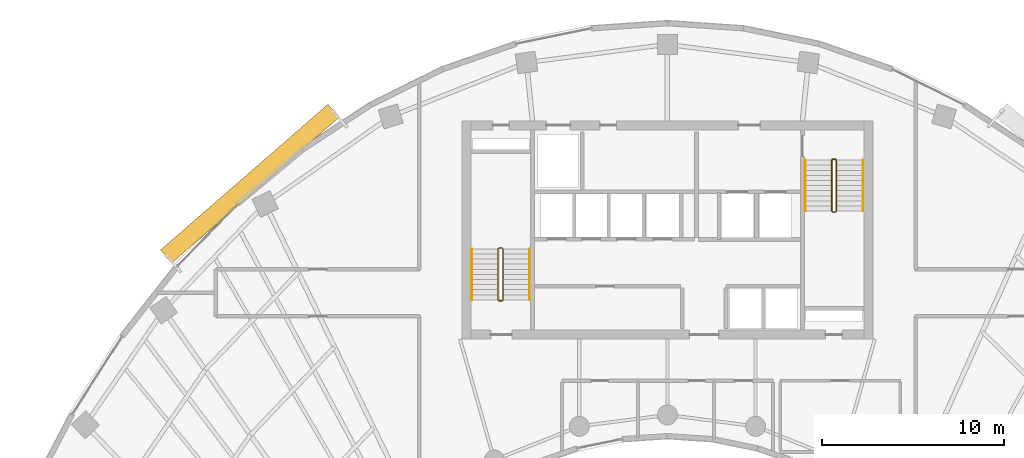
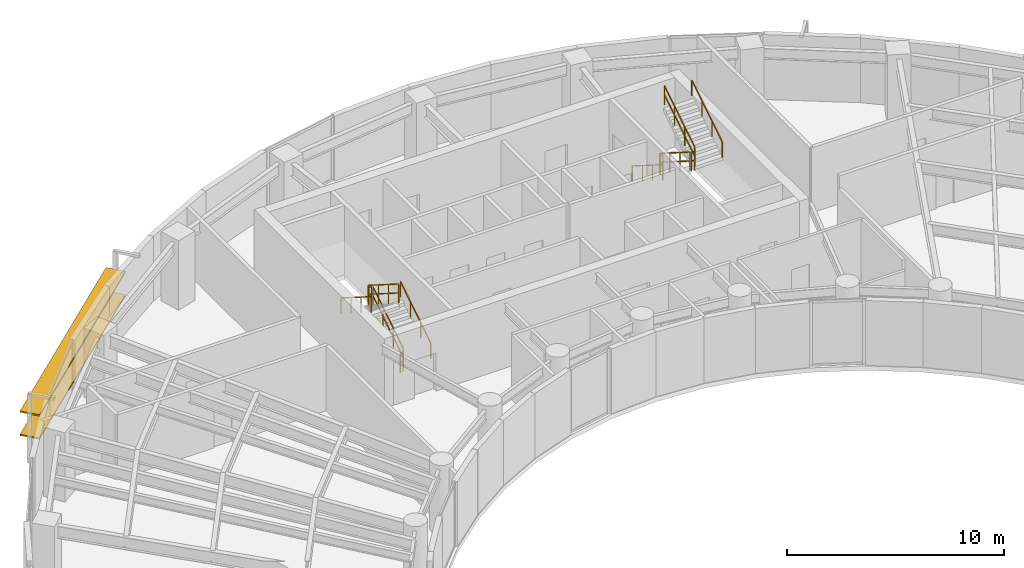
# One storey, part 12 of 13: 12 railings, 2 shading devices.
"""IFC4 building model written with IfcOpenShell, lengths in metres."""

from ifc_helpers import new_model, si_unit, direction, frame, origin, origin_2d, place, context, subcontext, project, spatial, rectangle, extrude, source, transform, mapped, material, material_profile, profile_set, type_object, type_shapes, element, save


model = new_model("IFC4")

# Units and contexts
model_context = context("Model", 3, precision=1e-05, world=origin(), true_north=direction((0.0, 1.0)))
body_context = subcontext(model_context, "Body", "Model", "MODEL_VIEW")
ifc_project = project(units=[si_unit("LENGTHUNIT", "METRE"), si_unit("AREAUNIT", "SQUARE_METRE"), si_unit("VOLUMEUNIT", "CUBIC_METRE"), si_unit("PLANEANGLEUNIT", "RADIAN"), si_unit("MASSUNIT", "GRAM", prefix="KILO")], contexts=[model_context])

# Site, building, storey
site_placement = place(None, origin())
site = spatial("IfcSite", under=ifc_project, at=site_placement, CompositionType="ELEMENT")
building_placement = place(site_placement, origin())
building = spatial("IfcBuilding", under=site, at=building_placement, Name="Breltana Convention Tower", CompositionType="ELEMENT")
storey_placement = place(building_placement, frame((0.0, 0.0, 158.39990234375)))
storey = spatial("IfcBuildingStorey", under=building, at=storey_placement, Name="L38", CompositionType="ELEMENT", Elevation=158.39990234375)

# Railings
ifc_material_1 = material(Name="Steel S275 Painted", Category="steel")
railing_type_1 = type_object("IfcRailingType", Name="RL-STAIR-GUARD-1100", PredefinedType="GUARDRAIL", material=ifc_material_1)
railing_1_placement = place(storey_placement, frame((38.9599609375, 62.360107421875, 0.177490234375)))
element("IfcRailing", 1, at=railing_1_placement, inside=storey, type_object=railing_type_1, Name="L38 ST-1 stair guard 1", PredefinedType="GUARDRAIL", context=body_context, shape_type="SweptSolid", body=[
    extrude(rectangle(XDim=0.048095703125, YDim=0.048095703125, at=origin_2d()), frame((0.0, 0.0, 1.076171875), z_axis=(0.0, 0.844887892834, 0.53494340686), x_axis=(-1.0, 0.0, 0.0)), (0.0, 0.0, 1.0), 3.313720703125),
    extrude(rectangle(XDim=0.048095703125, YDim=0.048095703125, at=origin_2d()), frame((0.0, 0.0, 0.572021484375), z_axis=(0.0, 0.844887892834, 0.53494340686), x_axis=(-1.0, 0.0, 0.0)), (0.0, 0.0, 1.0), 3.313720703125),
    extrude(rectangle(XDim=0.0419921875, YDim=0.0419921875, at=origin_2d()), origin(), (0.0, 0.0, 1.0), 1.052001953125),
    extrude(rectangle(XDim=0.0419921875, YDim=0.0419921875, at=origin_2d()), frame((0.0, 0.933349609375, 0.5908203125)), (0.0, 0.0, 1.0), 1.052001953125),
    extrude(rectangle(XDim=0.0419921875, YDim=0.0419921875, at=origin_2d()), frame((0.0, 1.866455078125, 1.181884765625)), (0.0, 0.0, 1.0), 1.052001953125),
    extrude(rectangle(XDim=0.0419921875, YDim=0.0419921875, at=origin_2d()), frame((0.0, 2.7998046875, 1.772705078125)), (0.0, 0.0, 1.0), 1.052001953125),
])
railing_2_placement = place(storey_placement, frame((38.909912109375, 65.2099609375, 1.9501953125)))
element("IfcRailing", 2, at=railing_2_placement, inside=storey, type_object=railing_type_1, Name="L38 ST-1 stair guard 2", PredefinedType="GUARDRAIL", context=body_context, shape_type="SweptSolid", body=[
    extrude(rectangle(XDim=0.048095703125, YDim=0.048095703125, at=origin_2d()), frame((0.0, 0.0, 1.076171875), z_axis=(-1.0, 0.0, 0.0), x_axis=(0.0, -1.0, 0.0)), (0.0, 0.0, 1.0), 0.14990234375),
    extrude(rectangle(XDim=0.048095703125, YDim=0.048095703125, at=origin_2d()), frame((0.0, 0.0, 0.572021484375), z_axis=(-1.0, 0.0, 0.0), x_axis=(0.0, -1.0, 0.0)), (0.0, 0.0, 1.0), 0.14990234375),
    extrude(rectangle(XDim=0.0419921875, YDim=0.0419921875, at=origin_2d()), origin(), (0.0, 0.0, 1.0), 1.052001953125),
    extrude(rectangle(XDim=0.0419921875, YDim=0.0419921875, at=origin_2d()), frame((-0.14990234375, 0.0, 0.0)), (0.0, 0.0, 1.0), 1.052001953125),
])
railing_3_placement = place(storey_placement, frame((38.7099609375, 65.159912109375, 2.12744140625)))
element("IfcRailing", 3, at=railing_3_placement, inside=storey, type_object=railing_type_1, Name="L38 ST-1 stair guard 3", PredefinedType="GUARDRAIL", context=body_context, shape_type="SweptSolid", body=[
    extrude(rectangle(XDim=0.048095703125, YDim=0.048095703125, at=origin_2d()), frame((0.0, 0.0, 1.076171875), z_axis=(0.0, -0.844887892834, 0.53494340686), x_axis=(1.0, 0.0, 0.0)), (0.0, 0.0, 1.0), 3.313720703125),
    extrude(rectangle(XDim=0.048095703125, YDim=0.048095703125, at=origin_2d()), frame((0.0, 0.0, 0.572021484375), z_axis=(0.0, -0.844887892834, 0.53494340686), x_axis=(1.0, 0.0, 0.0)), (0.0, 0.0, 1.0), 3.313720703125),
    extrude(rectangle(XDim=0.0419921875, YDim=0.0419921875, at=origin_2d()), origin(), (0.0, 0.0, 1.0), 1.052001953125),
    extrude(rectangle(XDim=0.0419921875, YDim=0.0419921875, at=origin_2d()), frame((0.0, -0.933349609375, 0.5908203125)), (0.0, 0.0, 1.0), 1.052001953125),
    extrude(rectangle(XDim=0.0419921875, YDim=0.0419921875, at=origin_2d()), frame((0.0, -1.866455078125, 1.181884765625)), (0.0, 0.0, 1.0), 1.052001953125),
    extrude(rectangle(XDim=0.0419921875, YDim=0.0419921875, at=origin_2d()), frame((0.0, -2.7998046875, 1.772705078125)), (0.0, 0.0, 1.0), 1.052001953125),
])
railing_4_placement = place(storey_placement, frame((38.909912109375, 62.31005859375, 0.0)))
element("IfcRailing", 4, at=railing_4_placement, inside=storey, type_object=railing_type_1, Name="L38 ST-1 stair guard 4", PredefinedType="GUARDRAIL", context=body_context, shape_type="SweptSolid", body=[
    extrude(rectangle(XDim=0.048095703125, YDim=0.048095703125, at=origin_2d()), frame((0.0, 0.0, 1.076171875), z_axis=(-1.0, 0.0, 0.0), x_axis=(0.0, -1.0, 0.0)), (0.0, 0.0, 1.0), 0.14990234375),
    extrude(rectangle(XDim=0.048095703125, YDim=0.048095703125, at=origin_2d()), frame((0.0, 0.0, 0.572021484375), z_axis=(-1.0, 0.0, 0.0), x_axis=(0.0, -1.0, 0.0)), (0.0, 0.0, 1.0), 0.14990234375),
    extrude(rectangle(XDim=0.0419921875, YDim=0.0419921875, at=origin_2d()), origin(), (0.0, 0.0, 1.0), 1.052001953125),
    extrude(rectangle(XDim=0.0419921875, YDim=0.0419921875, at=origin_2d()), frame((-0.14990234375, 0.0, 0.0)), (0.0, 0.0, 1.0), 1.052001953125),
])
railing_5_placement = place(storey_placement, frame((57.0400390625, 70.0400390625, 0.177490234375)))
element("IfcRailing", 5, at=railing_5_placement, inside=storey, type_object=railing_type_1, Name="L38 ST-2 stair guard 1", PredefinedType="GUARDRAIL", context=body_context, shape_type="SweptSolid", body=[
    extrude(rectangle(XDim=0.048095703125, YDim=0.048095703125, at=origin_2d()), frame((0.0, 0.0, 1.076171875), z_axis=(0.0, -0.844908973607, 0.534910110503), x_axis=(1.0, 0.0, 0.0)), (0.0, 0.0, 1.0), 3.31396484375),
    extrude(rectangle(XDim=0.048095703125, YDim=0.048095703125, at=origin_2d()), frame((0.0, 0.0, 0.572021484375), z_axis=(0.0, -0.844908973607, 0.534910110503), x_axis=(1.0, 0.0, 0.0)), (0.0, 0.0, 1.0), 3.31396484375),
    extrude(rectangle(XDim=0.0419921875, YDim=0.0419921875, at=origin_2d()), origin(), (0.0, 0.0, 1.0), 1.052001953125),
    extrude(rectangle(XDim=0.0419921875, YDim=0.0419921875, at=origin_2d()), frame((0.0, -0.933349609375, 0.5908203125)), (0.0, 0.0, 1.0), 1.052001953125),
    extrude(rectangle(XDim=0.0419921875, YDim=0.0419921875, at=origin_2d()), frame((0.0, -1.86669921875, 1.181884765625)), (0.0, 0.0, 1.0), 1.052001953125),
    extrude(rectangle(XDim=0.0419921875, YDim=0.0419921875, at=origin_2d()), frame((0.0, -2.800048828125, 1.772705078125)), (0.0, 0.0, 1.0), 1.052001953125),
])
railing_6_placement = place(storey_placement, frame((57.090087890625, 67.18994140625, 1.9501953125)))
element("IfcRailing", 6, at=railing_6_placement, inside=storey, type_object=railing_type_1, Name="L38 ST-2 stair guard 2", PredefinedType="GUARDRAIL", context=body_context, shape_type="SweptSolid", body=[
    extrude(rectangle(XDim=0.048095703125, YDim=0.048095703125, at=origin_2d()), frame((0.0, 0.0, 1.076171875), z_axis=(1.0, 0.0, 0.0), x_axis=(0.0, 1.0, 0.0)), (0.0, 0.0, 1.0), 0.14990234375),
    extrude(rectangle(XDim=0.048095703125, YDim=0.048095703125, at=origin_2d()), frame((0.0, 0.0, 0.572021484375), z_axis=(1.0, 0.0, 0.0), x_axis=(0.0, 1.0, 0.0)), (0.0, 0.0, 1.0), 0.14990234375),
    extrude(rectangle(XDim=0.0419921875, YDim=0.0419921875, at=origin_2d()), origin(), (0.0, 0.0, 1.0), 1.052001953125),
    extrude(rectangle(XDim=0.0419921875, YDim=0.0419921875, at=origin_2d()), frame((0.14990234375, 0.0, 0.0)), (0.0, 0.0, 1.0), 1.052001953125),
])
railing_7_placement = place(storey_placement, frame((57.2900390625, 67.239990234375, 2.12744140625)))
element("IfcRailing", 7, at=railing_7_placement, inside=storey, type_object=railing_type_1, Name="L38 ST-2 stair guard 3", PredefinedType="GUARDRAIL", context=body_context, shape_type="SweptSolid", body=[
    extrude(rectangle(XDim=0.048095703125, YDim=0.048095703125, at=origin_2d()), frame((0.0, 0.0, 1.076171875), z_axis=(0.0, 0.844908973607, 0.534910110503), x_axis=(-1.0, 0.0, 0.0)), (0.0, 0.0, 1.0), 3.31396484375),
    extrude(rectangle(XDim=0.048095703125, YDim=0.048095703125, at=origin_2d()), frame((0.0, 0.0, 0.572021484375), z_axis=(0.0, 0.844908973607, 0.534910110503), x_axis=(-1.0, 0.0, 0.0)), (0.0, 0.0, 1.0), 3.31396484375),
    extrude(rectangle(XDim=0.0419921875, YDim=0.0419921875, at=origin_2d()), origin(), (0.0, 0.0, 1.0), 1.052001953125),
    extrude(rectangle(XDim=0.0419921875, YDim=0.0419921875, at=origin_2d()), frame((0.0, 0.933349609375, 0.5908203125)), (0.0, 0.0, 1.0), 1.052001953125),
    extrude(rectangle(XDim=0.0419921875, YDim=0.0419921875, at=origin_2d()), frame((0.0, 1.86669921875, 1.181884765625)), (0.0, 0.0, 1.0), 1.052001953125),
    extrude(rectangle(XDim=0.0419921875, YDim=0.0419921875, at=origin_2d()), frame((0.0, 2.800048828125, 1.772705078125)), (0.0, 0.0, 1.0), 1.052001953125),
])
railing_8_placement = place(storey_placement, frame((57.090087890625, 70.090087890625, 0.0)))
element("IfcRailing", 8, at=railing_8_placement, inside=storey, type_object=railing_type_1, Name="L38 ST-2 stair guard 4", PredefinedType="GUARDRAIL", context=body_context, shape_type="SweptSolid", body=[
    extrude(rectangle(XDim=0.048095703125, YDim=0.048095703125, at=origin_2d()), frame((0.0, 0.0, 1.076171875), z_axis=(1.0, 0.0, 0.0), x_axis=(0.0, 1.0, 0.0)), (0.0, 0.0, 1.0), 0.14990234375),
    extrude(rectangle(XDim=0.048095703125, YDim=0.048095703125, at=origin_2d()), frame((0.0, 0.0, 0.572021484375), z_axis=(1.0, 0.0, 0.0), x_axis=(0.0, 1.0, 0.0)), (0.0, 0.0, 1.0), 0.14990234375),
    extrude(rectangle(XDim=0.0419921875, YDim=0.0419921875, at=origin_2d()), origin(), (0.0, 0.0, 1.0), 1.052001953125),
    extrude(rectangle(XDim=0.0419921875, YDim=0.0419921875, at=origin_2d()), frame((0.14990234375, 0.0, 0.0)), (0.0, 0.0, 1.0), 1.052001953125),
])
ifc_material_2 = material(Name="Stainless Steel 316L", Category="steel")
railing_type_2 = type_object("IfcRailingType", Name="RL-STAIR-HANDRAIL-900", PredefinedType="HANDRAIL", material=ifc_material_2)
railing_9_placement = place(storey_placement, frame((40.419921875, 62.360107421875, 0.177490234375)))
element("IfcRailing", 9, at=railing_9_placement, inside=storey, type_object=railing_type_2, Name="L38 ST-1 stair handrail 1", PredefinedType="HANDRAIL", context=body_context, shape_type="SweptSolid", body=[
    extrude(rectangle(XDim=0.048095703125, YDim=0.048095703125, at=origin_2d()), frame((0.0, 0.0, 0.8759765625), z_axis=(0.0, 0.844887892834, 0.53494340686), x_axis=(-1.0, 0.0, 0.0)), (0.0, 0.0, 1.0), 3.313720703125),
    extrude(rectangle(XDim=0.0419921875, YDim=0.0419921875, at=origin_2d()), origin(), (0.0, 0.0, 1.0), 0.851806640625),
    extrude(rectangle(XDim=0.0419921875, YDim=0.0419921875, at=origin_2d()), frame((0.0, 0.933349609375, 0.5908203125)), (0.0, 0.0, 1.0), 0.851806640625),
    extrude(rectangle(XDim=0.0419921875, YDim=0.0419921875, at=origin_2d()), frame((0.0, 1.866455078125, 1.181884765625)), (0.0, 0.0, 1.0), 0.851806640625),
    extrude(rectangle(XDim=0.0419921875, YDim=0.0419921875, at=origin_2d()), frame((0.0, 2.7998046875, 1.772705078125)), (0.0, 0.0, 1.0), 0.851806640625),
])
railing_10_placement = place(storey_placement, frame((37.25, 65.159912109375, 2.12744140625)))
element("IfcRailing", 10, at=railing_10_placement, inside=storey, type_object=railing_type_2, Name="L38 ST-1 stair handrail 2", PredefinedType="HANDRAIL", context=body_context, shape_type="SweptSolid", body=[
    extrude(rectangle(XDim=0.048095703125, YDim=0.048095703125, at=origin_2d()), frame((0.0, 0.0, 0.8759765625), z_axis=(0.0, -0.844887892834, 0.53494340686), x_axis=(1.0, 0.0, 0.0)), (0.0, 0.0, 1.0), 3.313720703125),
    extrude(rectangle(XDim=0.0419921875, YDim=0.0419921875, at=origin_2d()), origin(), (0.0, 0.0, 1.0), 0.851806640625),
    extrude(rectangle(XDim=0.0419921875, YDim=0.0419921875, at=origin_2d()), frame((0.0, -0.933349609375, 0.5908203125)), (0.0, 0.0, 1.0), 0.851806640625),
    extrude(rectangle(XDim=0.0419921875, YDim=0.0419921875, at=origin_2d()), frame((0.0, -1.866455078125, 1.181884765625)), (0.0, 0.0, 1.0), 0.851806640625),
    extrude(rectangle(XDim=0.0419921875, YDim=0.0419921875, at=origin_2d()), frame((0.0, -2.7998046875, 1.772705078125)), (0.0, 0.0, 1.0), 0.851806640625),
])
railing_11_placement = place(storey_placement, frame((55.580078125, 70.0400390625, 0.177490234375)))
element("IfcRailing", 11, at=railing_11_placement, inside=storey, type_object=railing_type_2, Name="L38 ST-2 stair handrail 1", PredefinedType="HANDRAIL", context=body_context, shape_type="SweptSolid", body=[
    extrude(rectangle(XDim=0.048095703125, YDim=0.048095703125, at=origin_2d()), frame((0.0, 0.0, 0.8759765625), z_axis=(0.0, -0.844908973607, 0.534910110503), x_axis=(1.0, 0.0, 0.0)), (0.0, 0.0, 1.0), 3.31396484375),
    extrude(rectangle(XDim=0.0419921875, YDim=0.0419921875, at=origin_2d()), origin(), (0.0, 0.0, 1.0), 0.851806640625),
    extrude(rectangle(XDim=0.0419921875, YDim=0.0419921875, at=origin_2d()), frame((0.0, -0.933349609375, 0.5908203125)), (0.0, 0.0, 1.0), 0.851806640625),
    extrude(rectangle(XDim=0.0419921875, YDim=0.0419921875, at=origin_2d()), frame((0.0, -1.86669921875, 1.181884765625)), (0.0, 0.0, 1.0), 0.851806640625),
    extrude(rectangle(XDim=0.0419921875, YDim=0.0419921875, at=origin_2d()), frame((0.0, -2.800048828125, 1.772705078125)), (0.0, 0.0, 1.0), 0.851806640625),
])
railing_12_placement = place(storey_placement, frame((58.75, 67.239990234375, 2.12744140625)))
element("IfcRailing", 12, at=railing_12_placement, inside=storey, type_object=railing_type_2, Name="L38 ST-2 stair handrail 2", PredefinedType="HANDRAIL", context=body_context, shape_type="SweptSolid", body=[
    extrude(rectangle(XDim=0.048095703125, YDim=0.048095703125, at=origin_2d()), frame((0.0, 0.0, 0.8759765625), z_axis=(0.0, 0.844908973607, 0.534910110503), x_axis=(-1.0, 0.0, 0.0)), (0.0, 0.0, 1.0), 3.31396484375),
    extrude(rectangle(XDim=0.0419921875, YDim=0.0419921875, at=origin_2d()), origin(), (0.0, 0.0, 1.0), 0.851806640625),
    extrude(rectangle(XDim=0.0419921875, YDim=0.0419921875, at=origin_2d()), frame((0.0, 0.933349609375, 0.5908203125)), (0.0, 0.0, 1.0), 0.851806640625),
    extrude(rectangle(XDim=0.0419921875, YDim=0.0419921875, at=origin_2d()), frame((0.0, 1.86669921875, 1.181884765625)), (0.0, 0.0, 1.0), 0.851806640625),
    extrude(rectangle(XDim=0.0419921875, YDim=0.0419921875, at=origin_2d()), frame((0.0, 2.800048828125, 1.772705078125)), (0.0, 0.0, 1.0), 0.851806640625),
])

# Shading devices
ifc_material_3 = material(Name="Limestone Warm Buff Honed", Category="masonry")
ifc_material_profile = material_profile(ifc_material_3, rectangle(XDim=0.949951171875, YDim=0.080078125, at=origin_2d()), Name="STN-LVR-950X80")
ifc_profile_set = profile_set([ifc_material_profile], Name="Limestone Warm Buff Honed")
shading_device_type = type_object("IfcShadingDeviceType", Name="SHD-OUTER-SKIN-LIMESTONE-950", PredefinedType="JALOUSIE", material=ifc_profile_set)
shared_shape = source(origin(), body_context, "Body", "SweptSolid", [
    extrude(rectangle(XDim=0.949951171875, YDim=0.080078125, at=origin_2d()), origin(), (0.0, 0.0, 1.0), 12.1943359375),
])
type_shapes(shading_device_type, [shared_shape])
for number, where, z_axis, x_axis, name in (
    (13, (20.451904296875, 64.74951171875, 1.314208984375), (0.754361083307, 0.656459713914, 0.0), (-0.656459713914, 0.754361083307, 0.0), "L38 outer skin warm limestone louvre 1.1"),
    (14, (20.451904296875, 64.74951171875, 2.628173828125), (0.754361083307, 0.656459713914, 0.0), (-0.656459713914, 0.754361083307, 0.0), "L38 outer skin warm limestone louvre 1.2"),
):
    element("IfcShadingDevice", number, at=place(storey_placement, frame(where, z_axis=z_axis, x_axis=x_axis)), inside=storey, type_object=shading_device_type, Name=name, PredefinedType="JALOUSIE", context=body_context, shape_type="MappedRepresentation", body=[
        mapped(shared_shape, transform((0.0, 0.0, 0.0), scale=1.0)),
    ])

save(model, "model.ifc")
